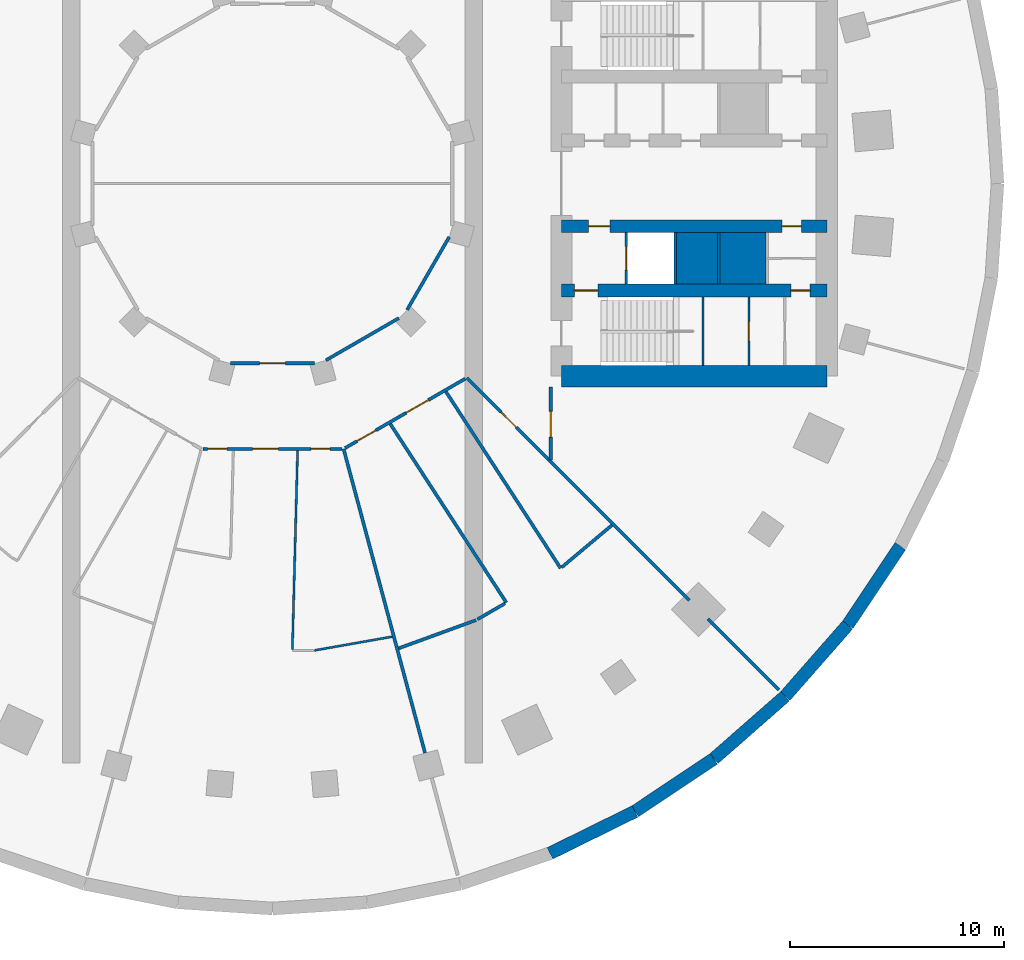
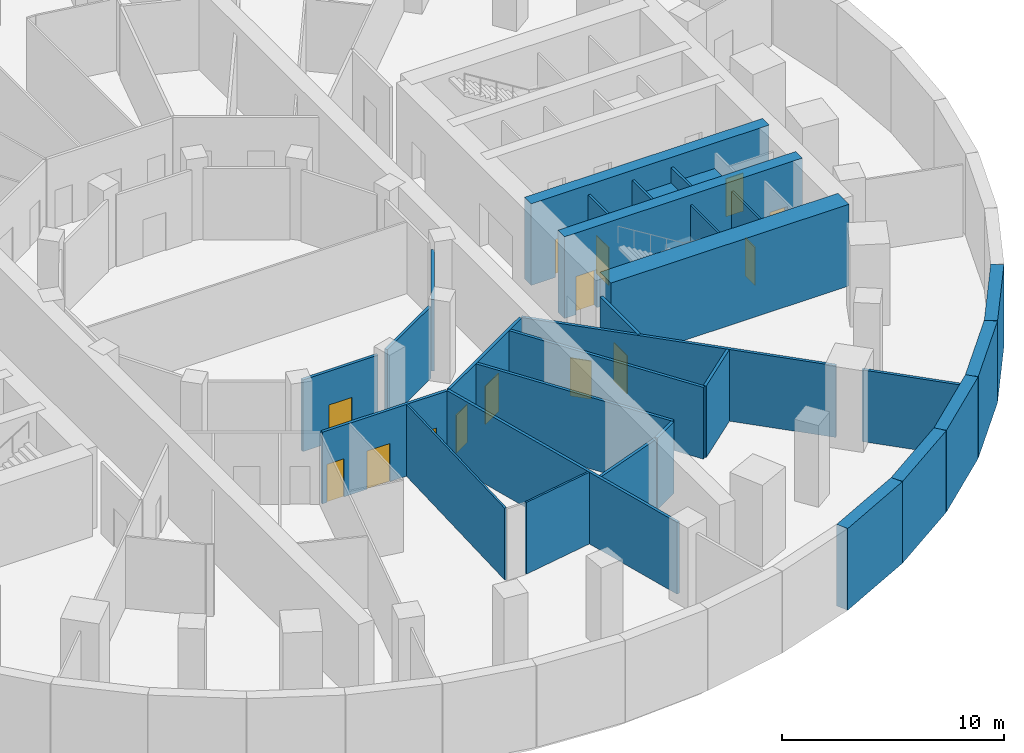
# One storey, part 3 of 8: 31 walls, 14 doors, 14 openings.
"""IFC4 building model written with IfcOpenShell, lengths in metres."""

from ifc_helpers import new_model, si_unit, direction, frame, frame_2d, origin, place, context, subcontext, project, spatial, rectangle, extrude, material, layer, layer_set, type_object, element, fill, save


model = new_model("IFC4")

# Units and contexts
model_context = context("Model", 3, precision=1e-05, world=origin(), true_north=direction((0.0, 1.0)))
body_context = subcontext(model_context, "Body", "Model", "MODEL_VIEW")
ifc_project = project(units=[si_unit("LENGTHUNIT", "METRE"), si_unit("AREAUNIT", "SQUARE_METRE"), si_unit("VOLUMEUNIT", "CUBIC_METRE"), si_unit("PLANEANGLEUNIT", "RADIAN"), si_unit("MASSUNIT", "GRAM", prefix="KILO")], contexts=[model_context])

# Site, building, storey
site_placement = place(None, origin())
site = spatial("IfcSite", under=ifc_project, at=site_placement, CompositionType="ELEMENT")
building_placement = place(site_placement, origin())
building = spatial("IfcBuilding", under=site, at=building_placement, Name="Saqina Gate Tower", CompositionType="ELEMENT")
storey_placement = place(building_placement, frame((0.0, 0.0, -4.5)))
storey = spatial("IfcBuildingStorey", under=building, at=storey_placement, Name="B1", CompositionType="ELEMENT", Elevation=-4.5)

# Wall, opening, door
ifc_material_1 = material(Name="Gypsum board on steel studs", Category="steel")
ifc_layer_1 = layer(ifc_material_1, 0.10009765625)
ifc_layer_set_1 = layer_set([ifc_layer_1], Name="CORE PARTITION")
wall_type_1 = type_object("IfcWallType", Name="CORE PARTITION", PredefinedType="PARTITIONING", material=ifc_layer_set_1)
wall_1_placement = place(storey_placement, frame((22.256103515625, -8.5, 0.0), z_axis=(0.0, 0.0, 1.0), x_axis=(0.0, 1.0, 0.0)))
wall_1 = element("IfcWall", 1, at=wall_1_placement, inside=storey, type_object=wall_type_1, Name="B1-CP-E13", PredefinedType="PARTITIONING", context=body_context, shape_type="SweptSolid", body=[
    extrude(rectangle(XDim=3.199951171875, YDim=0.10009765625, at=frame_2d((1.60009765625, 0.0))), origin(), (0.0, 0.0, 1.0), 3.949951171875),
])
opening_1_placement = place(wall_1_placement, frame((1.14990234375, 0.0, 0.0)))
opening_1 = element("IfcOpeningElement", 2, at=opening_1_placement, cuts=wall_1, Name="Opening B1-D100", PredefinedType="OPENING", context=body_context, shape_type="SweptSolid", body=[
    extrude(rectangle(XDim=0.89990234375, YDim=2.10009765625, at=frame_2d((0.449951171875, 1.050048828125))), frame((0.0, 0.06201171875, 0.0), z_axis=(0.0, -1.0, 0.0), x_axis=(1.0, 0.0, 0.0)), (0.0, 0.0, 1.0), 0.1240234375),
])
ifc_material_2 = material(Name="Steel-framed fire door leaf, EI 60", Category="steel")
door_type_1 = type_object("IfcDoorType", Name="SERVICE ROOM DOOR 900", OperationType="SINGLE_SWING_LEFT", PredefinedType="DOOR", material=ifc_material_2)
door_1_placement = place(opening_1_placement, origin())
door_1 = element("IfcDoor", 3, at=door_1_placement, inside=storey, type_object=door_type_1, Name="B1-CD-E11", OperationType="SINGLE_SWING_LEFT", OverallHeight=2.10009765625, OverallWidth=0.89990234375, PredefinedType="DOOR", context=body_context, shape_type="SweptSolid", body=[
    extrude(rectangle(XDim=0.89990234375, YDim=2.10009765625, at=frame_2d((0.449951171875, 1.050048828125))), frame((0.0, 0.02490234375, 0.0), z_axis=(0.0, -1.0, 0.0), x_axis=(1.0, 0.0, 0.0)), (0.0, 0.0, 1.0), 0.050048828125),
])
fill(opening_1, door_1)

# Walls
ifc_material_3 = material(Name="Concrete C40/50", Category="concrete")
ifc_layer_2 = layer(ifc_material_3, 2.39990234375)
ifc_layer_set_2 = layer_set([ifc_layer_2], Name="Concrete C40/50")
wall_type_2 = type_object("IfcWallType", Name="LIFT PIT PEDESTAL", PredefinedType="SOLIDWALL", material=ifc_layer_set_2)
wall_2_placement = place(storey_placement, frame((18.8701171875, -3.5, 0.0), z_axis=(0.0, 0.0, 1.0), x_axis=(1.0, 0.0, 0.0)))
element("IfcWall", 4, at=wall_2_placement, inside=storey, type_object=wall_type_2, Name="LIFT PIT BASE LR3", PredefinedType="SOLIDWALL", context=body_context, shape_type="SweptSolid", body=[
    extrude(rectangle(XDim=1.909912109375, YDim=2.39990234375, at=frame_2d((0.955078125, 0.0))), origin(), (0.0, 0.0, 1.0), 3.10009765625),
])
wall_3_placement = place(storey_placement, frame((20.89990234375, -3.5, 0.0), z_axis=(0.0, 0.0, 1.0), x_axis=(1.0, 0.0, 0.0)))
element("IfcWall", 5, at=wall_3_placement, inside=storey, type_object=wall_type_2, Name="LIFT PIT BASE LR2", PredefinedType="SOLIDWALL", context=body_context, shape_type="SweptSolid", body=[
    extrude(rectangle(XDim=2.16015625, YDim=2.39990234375, at=frame_2d((1.080078125, 0.0))), origin(), (0.0, 0.0, 1.0), 3.10009765625),
])

# Wall, opening, door
ifc_material_4 = material(Name="Autoclaved aerated concrete block", Category="concrete")
ifc_layer_3 = layer(ifc_material_4, 0.1201171875)
ifc_layer_set_3 = layer_set([ifc_layer_3], Name="SHAFT PARTITION")
wall_type_3 = type_object("IfcWallType", Name="SHAFT PARTITION", PredefinedType="PARTITIONING", material=ifc_layer_set_3)
wall_4_placement = place(storey_placement, frame((16.530029296875, -4.699951171875, 0.0), z_axis=(0.0, 0.0, 1.0), x_axis=(0.0, 1.0, 0.0)))
wall_4 = element("IfcWall", 6, at=wall_4_placement, inside=storey, type_object=wall_type_3, Name="B1-CP-E05", PredefinedType="PARTITIONING", context=body_context, shape_type="SweptSolid", body=[
    extrude(rectangle(XDim=2.39990234375, YDim=0.1201171875, at=frame_2d((1.199951171875, 0.0))), origin(), (0.0, 0.0, 1.0), 3.949951171875),
])
opening_2_placement = place(wall_4_placement, frame((0.64990234375, 0.0, 0.0)))
opening_2 = element("IfcOpeningElement", 7, at=opening_2_placement, cuts=wall_4, Name="Opening B1-LD1", PredefinedType="OPENING", context=body_context, shape_type="SweptSolid", body=[
    extrude(rectangle(XDim=1.10009765625, YDim=2.10009765625, at=frame_2d((0.550048828125, 1.050048828125))), frame((0.0, 0.072021484375, 0.0), z_axis=(0.0, -1.0, 0.0), x_axis=(1.0, 0.0, 0.0)), (0.0, 0.0, 1.0), 0.14404296875),
])
ifc_material_5 = material(Name="Stainless steel", Category="steel")
door_type_2 = type_object("IfcDoorType", Name="LANDING DOOR", OperationType="DOUBLE_DOOR_SLIDING", PredefinedType="DOOR", material=ifc_material_5)
door_2_placement = place(opening_2_placement, origin())
door_2 = element("IfcDoor", 8, at=door_2_placement, inside=storey, type_object=door_type_2, Name="LANDING DOOR FF1", OperationType="DOUBLE_DOOR_SLIDING", OverallHeight=2.10009765625, OverallWidth=1.10009765625, PredefinedType="DOOR", context=body_context, shape_type="SweptSolid", body=[
    extrude(rectangle(XDim=1.10009765625, YDim=2.10009765625, at=frame_2d((0.550048828125, 1.050048828125))), frame((0.0, 0.02490234375, 0.0), z_axis=(0.0, -1.0, 0.0), x_axis=(1.0, 0.0, 0.0)), (0.0, 0.0, 1.0), 0.050048828125),
])
fill(opening_2, door_2)

# Walls
for number, where, z_axis, x_axis, name in (
    (9, (18.81005859375, -4.699951171875, 0.0), (0.0, 0.0, 1.0), (0.0, 1.0, 0.0), "B1-CP-E06"),
    (10, (20.840087890625, -4.699951171875, 0.0), (0.0, 0.0, 1.0), (0.0, 1.0, 0.0), "B1-CP-E07"),
):
    element("IfcWall", number, at=place(storey_placement, frame(where, z_axis=z_axis, x_axis=x_axis)), inside=storey, type_object=wall_type_3, Name=name, PredefinedType="PARTITIONING", context=body_context, shape_type="SweptSolid", body=[
        extrude(rectangle(XDim=2.39990234375, YDim=0.1201171875, at=frame_2d((1.199951171875, 0.0))), origin(), (0.0, 0.0, 1.0), 3.949951171875),
    ])
ifc_material_6 = material(Name="Gypsum board on steel studs, 100 mm", Category="steel")
ifc_layer_4 = layer(ifc_material_6, 0.10009765625)
ifc_layer_set_4 = layer_set([ifc_layer_4], Name="SPECIAL PARTITION 100")
wall_type_4 = type_object("IfcWallType", Name="SPECIAL PARTITION 100", PredefinedType="PARTITIONING", material=ifc_layer_set_4)
wall_5_placement = place(storey_placement, frame((1.958251953125, -21.811279296875, 0.0), z_axis=(0.0, 0.0, 1.0), x_axis=(0.984802853869, 0.173675959796, 0.0)))
element("IfcWall", 11, at=wall_5_placement, inside=storey, type_object=wall_type_4, Name="PARTITION 039", PredefinedType="PARTITIONING", context=body_context, shape_type="SweptSolid", body=[
    extrude(rectangle(XDim=3.69287109375, YDim=0.10009765625, at=frame_2d((1.846435546875, 0.0))), origin(), (0.0, 0.0, 1.0), 3.949951171875),
])
wall_6_placement = place(storey_placement, frame((0.930419921875, -21.77001953125, 0.0), z_axis=(0.0, 0.0, 1.0), x_axis=(0.026204488606, 0.999656603428, 0.0)))
element("IfcWall", 12, at=wall_6_placement, inside=storey, type_object=wall_type_4, Name="PARTITION 070", PredefinedType="PARTITIONING", context=body_context, shape_type="SweptSolid", body=[
    extrude(rectangle(XDim=9.298095703125, YDim=0.10009765625, at=frame_2d((4.64892578125, 0.0))), origin(), (0.0, 0.0, 1.0), 3.949951171875),
])

# Wall, openings, doors
ifc_material_7 = material(Name="Gypsum board on steel studs, 150 mm, fire rated", Category="steel")
ifc_layer_5 = layer(ifc_material_7, 0.14990234375)
ifc_layer_set_5 = layer_set([ifc_layer_5], Name="SPECIAL PARTITION EI 30 150")
wall_type_5 = type_object("IfcWallType", Name="SPECIAL PARTITION EI 30 150", PredefinedType="PARTITIONING", material=ifc_layer_set_5)
wall_7_placement = place(storey_placement, frame((-3.248046875, -12.39990234375, 0.0), z_axis=(0.0, 0.0, 1.0), x_axis=(1.0, 0.0, 0.0)))
wall_7 = element("IfcWall", 13, at=wall_7_placement, inside=storey, type_object=wall_type_5, Name="PARTITION 032", PredefinedType="PARTITIONING", context=body_context, shape_type="SweptSolid", body=[
    extrude(rectangle(XDim=6.49609375, YDim=0.14990234375, at=frame_2d((3.248046875, 0.0))), origin(), (0.0, 0.0, 1.0), 3.949951171875),
])
opening_3_placement = place(wall_7_placement, frame((0.22412109375, 0.0, 0.0)))
opening_3 = element("IfcOpeningElement", 14, at=opening_3_placement, cuts=wall_7, Name="Opening B1-D19", PredefinedType="OPENING", context=body_context, shape_type="SweptSolid", body=[
    extrude(rectangle(XDim=0.89990234375, YDim=2.10009765625, at=frame_2d((0.449951171875, 1.050048828125))), frame((0.0, 0.0869140625, 0.0), z_axis=(0.0, -1.0, 0.0), x_axis=(1.0, 0.0, 0.0)), (0.0, 0.0, 1.0), 0.173828125),
])
opening_4_placement = place(wall_7_placement, frame((2.323486328125, 0.0, 0.0)))
opening_4 = element("IfcOpeningElement", 15, at=opening_4_placement, cuts=wall_7, Name="Opening B1-D20", PredefinedType="OPENING", context=body_context, shape_type="SweptSolid", body=[
    extrude(rectangle(XDim=1.199951171875, YDim=2.10009765625, at=frame_2d((0.60009765625, 1.050048828125))), frame((0.0, 0.0869140625, 0.0), z_axis=(0.0, -1.0, 0.0), x_axis=(1.0, 0.0, 0.0)), (0.0, 0.0, 1.0), 0.173828125),
])
opening_5_placement = place(wall_7_placement, frame((5.047607421875, 0.0, 0.0)))
opening_5 = element("IfcOpeningElement", 16, at=opening_5_placement, cuts=wall_7, Name="Opening B1-D22", PredefinedType="OPENING", context=body_context, shape_type="SweptSolid", body=[
    extrude(rectangle(XDim=0.89990234375, YDim=2.10009765625, at=frame_2d((0.449951171875, 1.050048828125))), frame((0.0, 0.0869140625, 0.0), z_axis=(0.0, -1.0, 0.0), x_axis=(1.0, 0.0, 0.0)), (0.0, 0.0, 1.0), 0.173828125),
])
ifc_material_8 = material(Name="Steel-framed fire door leaf, EI 30", Category="steel")
door_type_3 = type_object("IfcDoorType", Name="SPECIAL DOOR 1200 FIRE EI 30", OperationType="SINGLE_SWING_LEFT", PredefinedType="DOOR", material=ifc_material_8)
door_3_placement = place(opening_4_placement, origin())
door_3 = element("IfcDoor", 17, at=door_3_placement, inside=storey, type_object=door_type_3, Name="DOOR B1-D20", OperationType="SINGLE_SWING_LEFT", OverallHeight=2.10009765625, OverallWidth=1.199951171875, PredefinedType="DOOR", context=body_context, shape_type="SweptSolid", body=[
    extrude(rectangle(XDim=1.199951171875, YDim=2.10009765625, at=frame_2d((0.60009765625, 1.050048828125))), frame((0.0, 0.02490234375, 0.0), z_axis=(0.0, -1.0, 0.0), x_axis=(1.0, 0.0, 0.0)), (0.0, 0.0, 1.0), 0.050048828125),
])
fill(opening_4, door_3)
ifc_material_9 = material(Name="Steel-framed fire door leaf, EI 30", Category="steel")
door_type_4 = type_object("IfcDoorType", Name="SPECIAL DOOR 900 FIRE EI 30", OperationType="SINGLE_SWING_LEFT", PredefinedType="DOOR", material=ifc_material_9)
door_4_placement = place(opening_3_placement, frame((0.89990234375, 0.0, 0.0), z_axis=(0.0, 0.0, 1.0), x_axis=(-1.0, 0.0, 0.0)))
door_4 = element("IfcDoor", 18, at=door_4_placement, inside=storey, type_object=door_type_4, Name="DOOR B1-D19", OperationType="SINGLE_SWING_RIGHT", OverallHeight=2.10009765625, OverallWidth=0.89990234375, PredefinedType="DOOR", context=body_context, shape_type="SweptSolid", body=[
    extrude(rectangle(XDim=0.89990234375, YDim=2.10009765625, at=frame_2d((0.449951171875, 1.050048828125))), frame((0.0, 0.02490234375, 0.0), z_axis=(0.0, -1.0, 0.0), x_axis=(1.0, 0.0, 0.0)), (0.0, 0.0, 1.0), 0.050048828125),
])
fill(opening_3, door_4)
door_5_placement = place(opening_5_placement, frame((0.89990234375, 0.0, 0.0), z_axis=(0.0, 0.0, 1.0), x_axis=(-1.0, 0.0, 0.0)))
door_5 = element("IfcDoor", 19, at=door_5_placement, inside=storey, type_object=door_type_4, Name="DOOR B1-D22", OperationType="SINGLE_SWING_RIGHT", OverallHeight=2.10009765625, OverallWidth=0.89990234375, PredefinedType="DOOR", context=body_context, shape_type="SweptSolid", body=[
    extrude(rectangle(XDim=0.89990234375, YDim=2.10009765625, at=frame_2d((0.449951171875, 1.050048828125))), frame((0.0, 0.02490234375, 0.0), z_axis=(0.0, -1.0, 0.0), x_axis=(1.0, 0.0, 0.0)), (0.0, 0.0, 1.0), 0.050048828125),
])
fill(opening_5, door_5)

# Wall, opening, door
wall_8_placement = place(storey_placement, frame((-1.96435546875, -8.39990234375, 0.0), z_axis=(0.0, 0.0, 1.0), x_axis=(1.0, 0.0, 0.0)))
wall_8 = element("IfcWall", 20, at=wall_8_placement, inside=storey, type_object=wall_type_5, Name="PARTITION 033", PredefinedType="PARTITIONING", context=body_context, shape_type="SweptSolid", body=[
    extrude(rectangle(XDim=3.9287109375, YDim=0.14990234375, at=frame_2d((1.96435546875, 0.0))), origin(), (0.0, 0.0, 1.0), 3.949951171875),
])
opening_6_placement = place(wall_8_placement, frame((1.364501953125, 0.0, 0.0)))
opening_6 = element("IfcOpeningElement", 21, at=opening_6_placement, cuts=wall_8, Name="Opening B1-D21", PredefinedType="OPENING", context=body_context, shape_type="SweptSolid", body=[
    extrude(rectangle(XDim=1.199951171875, YDim=2.10009765625, at=frame_2d((0.60009765625, 1.050048828125))), frame((0.0, 0.0869140625, 0.0), z_axis=(0.0, -1.0, 0.0), x_axis=(1.0, 0.0, 0.0)), (0.0, 0.0, 1.0), 0.173828125),
])
door_6_placement = place(opening_6_placement, frame((1.199951171875, 0.0, 0.0), z_axis=(0.0, 0.0, 1.0), x_axis=(-1.0, 0.0, 0.0)))
door_6 = element("IfcDoor", 22, at=door_6_placement, inside=storey, type_object=door_type_3, Name="DOOR B1-D21", OperationType="SINGLE_SWING_LEFT", OverallHeight=2.10009765625, OverallWidth=1.199951171875, PredefinedType="DOOR", context=body_context, shape_type="SweptSolid", body=[
    extrude(rectangle(XDim=1.199951171875, YDim=2.10009765625, at=frame_2d((0.60009765625, 1.050048828125))), frame((0.0, 0.02490234375, 0.0), z_axis=(0.0, -1.0, 0.0), x_axis=(1.0, 0.0, 0.0)), (0.0, 0.0, 1.0), 0.050048828125),
])
fill(opening_6, door_6)

# Walls
for number, where, z_axis, x_axis, name in (
    (23, (2.4990234375, -8.256591796875, 0.0), (0.0, 0.0, 1.0), (0.865990036525, 0.500061252887, 0.0), "PARTITION 047"),
    (24, (6.29150390625, -5.902099609375, 0.0), (0.0, 0.0, 1.0), (0.500061252887, 0.865990036525, 0.0), "PARTITION 061"),
):
    element("IfcWall", number, at=place(storey_placement, frame(where, z_axis=z_axis, x_axis=x_axis)), inside=storey, type_object=wall_type_5, Name=name, PredefinedType="PARTITIONING", context=body_context, shape_type="SweptSolid", body=[
        extrude(rectangle(XDim=3.9296875, YDim=0.14990234375, at=frame_2d((1.96484375, 0.0))), origin(), (0.0, 0.0, 1.0), 3.949951171875),
    ])

# Wall, opening, door
wall_9_placement = place(storey_placement, frame((13.0, -12.925048828125, 0.0), z_axis=(0.0, 0.0, 1.0), x_axis=(0.0, 1.0, 0.0)))
wall_9 = element("IfcWall", 25, at=wall_9_placement, inside=storey, type_object=wall_type_5, Name="PARTITION 072", PredefinedType="PARTITIONING", context=body_context, shape_type="SweptSolid", body=[
    extrude(rectangle(XDim=3.425048828125, YDim=0.14990234375, at=frame_2d((1.71240234375, 0.0))), origin(), (0.0, 0.0, 1.0), 3.949951171875),
])
opening_7_placement = place(wall_9_placement, frame((1.074951171875, 0.0, 0.0)))
opening_7 = element("IfcOpeningElement", 26, at=opening_7_placement, cuts=wall_9, Name="Opening B1-D26", PredefinedType="OPENING", context=body_context, shape_type="SweptSolid", body=[
    extrude(rectangle(XDim=1.199951171875, YDim=2.10009765625, at=frame_2d((0.60009765625, 1.050048828125))), frame((0.0, 0.0869140625, 0.0), z_axis=(0.0, -1.0, 0.0), x_axis=(1.0, 0.0, 0.0)), (0.0, 0.0, 1.0), 0.173828125),
])
door_7_placement = place(opening_7_placement, origin())
door_7 = element("IfcDoor", 27, at=door_7_placement, inside=storey, type_object=door_type_3, Name="DOOR B1-D26", OperationType="SINGLE_SWING_LEFT", OverallHeight=2.10009765625, OverallWidth=1.199951171875, PredefinedType="DOOR", context=body_context, shape_type="SweptSolid", body=[
    extrude(rectangle(XDim=1.199951171875, YDim=2.10009765625, at=frame_2d((0.60009765625, 1.050048828125))), frame((0.0, 0.02490234375, 0.0), z_axis=(0.0, -1.0, 0.0), x_axis=(1.0, 0.0, 0.0)), (0.0, 0.0, 1.0), 0.050048828125),
])
fill(opening_7, door_7)

# Walls
ifc_material_10 = material(Name="Masonry block and plaster, 150 mm, fire rated", Category="masonry")
ifc_layer_6 = layer(ifc_material_10, 0.14990234375)
ifc_layer_set_6 = layer_set([ifc_layer_6], Name="SPECIAL PARTITION EI 60 150")
wall_type_6 = type_object("IfcWallType", Name="SPECIAL PARTITION EI 60 150", PredefinedType="PARTITIONING", material=ifc_layer_set_6)
wall_10_placement = place(storey_placement, frame((3.322998046875, -12.39990234375, 0.0), z_axis=(0.0, 0.0, 1.0), x_axis=(0.258774542154, -0.965937749719, 0.0)))
element("IfcWall", 28, at=wall_10_placement, inside=storey, type_object=wall_type_6, Name="PARTITION 003", PredefinedType="PARTITIONING", context=body_context, shape_type="SweptSolid", body=[
    extrude(rectangle(XDim=14.70263671875, YDim=0.14990234375, at=frame_2d((7.351318359375, 0.0))), origin(), (0.0, 0.0, 1.0), 3.949951171875),
])
wall_11_placement = place(storey_placement, frame((5.502685546875, -11.227783203125, 0.0), z_axis=(0.0, 0.0, 1.0), x_axis=(0.544658291874, -0.838658062081, 0.0)))
element("IfcWall", 29, at=wall_11_placement, inside=storey, type_object=wall_type_6, Name="PARTITION 009", PredefinedType="PARTITIONING", context=body_context, shape_type="SweptSolid", body=[
    extrude(rectangle(XDim=9.959228515625, YDim=0.14990234375, at=frame_2d((4.9794921875, 0.0))), origin(), (0.0, 0.0, 1.0), 3.949951171875),
])
wall_12_placement = place(storey_placement, frame((8.10400390625, -9.725341796875, 0.0), z_axis=(0.0, 0.0, 1.0), x_axis=(0.544634017979, -0.838673826026, 0.0)))
element("IfcWall", 30, at=wall_12_placement, inside=storey, type_object=wall_type_6, Name="PARTITION 010", PredefinedType="PARTITIONING", context=body_context, shape_type="SweptSolid", body=[
    extrude(rectangle(XDim=9.833984375, YDim=0.14990234375, at=frame_2d((4.9169921875, 0.0))), origin(), (0.0, 0.0, 1.0), 3.949951171875),
])

# Wall, opening, door
wall_13_placement = place(storey_placement, frame((9.076904296875, -9.076904296875, 0.0), z_axis=(0.0, 0.0, 1.0), x_axis=(0.707106781187, -0.707106781187, 0.0)))
wall_13 = element("IfcWall", 31, at=wall_13_placement, inside=storey, type_object=wall_type_6, Name="PARTITION 014", PredefinedType="PARTITIONING", context=body_context, shape_type="SweptSolid", body=[
    extrude(rectangle(XDim=14.703125, YDim=0.14990234375, at=frame_2d((7.3515625, 0.0))), origin(), (0.0, 0.0, 1.0), 3.949951171875),
])
opening_8_placement = place(wall_13_placement, frame((2.275634765625, 0.0, 0.0)))
opening_8 = element("IfcOpeningElement", 32, at=opening_8_placement, cuts=wall_13, Name="Opening B1-D25", PredefinedType="OPENING", context=body_context, shape_type="SweptSolid", body=[
    extrude(rectangle(XDim=1.0, YDim=2.10009765625, at=frame_2d((0.5, 1.050048828125))), frame((0.0, 0.0869140625, 0.0), z_axis=(0.0, -1.0, 0.0), x_axis=(1.0, 0.0, 0.0)), (0.0, 0.0, 1.0), 0.173828125),
])
ifc_material_11 = material(Name="Steel-framed fire door leaf, EI 60", Category="steel")
door_type_5 = type_object("IfcDoorType", Name="SPECIAL DOOR 1000 FIRE EI 60", OperationType="SINGLE_SWING_LEFT", PredefinedType="DOOR", material=ifc_material_11)
door_8_placement = place(opening_8_placement, frame((1.0, 0.0, 0.0), z_axis=(0.0, 0.0, 1.0), x_axis=(-1.0, 0.0, 0.0)))
door_8 = element("IfcDoor", 33, at=door_8_placement, inside=storey, type_object=door_type_5, Name="DOOR B1-D25", OperationType="SINGLE_SWING_RIGHT", OverallHeight=2.10009765625, OverallWidth=1.0, PredefinedType="DOOR", context=body_context, shape_type="SweptSolid", body=[
    extrude(rectangle(XDim=1.0, YDim=2.10009765625, at=frame_2d((0.5, 1.050048828125))), frame((0.0, 0.02490234375, 0.0), z_axis=(0.0, -1.0, 0.0), x_axis=(1.0, 0.0, 0.0)), (0.0, 0.0, 1.0), 0.050048828125),
])
fill(opening_8, door_8)

# Walls
wall_14_placement = place(storey_placement, frame((20.33642578125, -20.33642578125, 0.0), z_axis=(0.0, 0.0, 1.0), x_axis=(0.707106781187, -0.707106781187, 0.0)))
element("IfcWall", 34, at=wall_14_placement, inside=storey, type_object=wall_type_6, Name="PARTITION 015", PredefinedType="PARTITIONING", context=body_context, shape_type="SweptSolid", body=[
    extrude(rectangle(XDim=4.687255859375, YDim=0.14990234375, at=frame_2d((2.34375, 0.0))), origin(), (0.0, 0.0, 1.0), 3.949951171875),
])
wall_15_placement = place(storey_placement, frame((5.8955078125, -21.71337890625, 0.0), z_axis=(0.0, 0.0, 1.0), x_axis=(0.939652546346, 0.342130226882, 0.0)))
element("IfcWall", 35, at=wall_15_placement, inside=storey, type_object=wall_type_6, Name="PARTITION 043", PredefinedType="PARTITIONING", context=body_context, shape_type="SweptSolid", body=[
    extrude(rectangle(XDim=3.84765625, YDim=0.14990234375, at=frame_2d((1.923828125, 0.0))), origin(), (0.0, 0.0, 1.0), 3.949951171875),
])
wall_16_placement = place(storey_placement, frame((9.575927734375, -20.359619140625, 0.0), z_axis=(0.0, 0.0, 1.0), x_axis=(0.866130837145, 0.499817339582, 0.0)))
element("IfcWall", 36, at=wall_16_placement, inside=storey, type_object=wall_type_6, Name="PARTITION 045", PredefinedType="PARTITIONING", context=body_context, shape_type="SweptSolid", body=[
    extrude(rectangle(XDim=1.48486328125, YDim=0.14990234375, at=frame_2d((0.742431640625, 0.0))), origin(), (0.0, 0.0, 1.0), 3.949951171875),
])

# Wall, openings, doors
wall_17_placement = place(storey_placement, frame((3.387939453125, -12.362548828125, 0.0), z_axis=(0.0, 0.0, 1.0), x_axis=(0.865967095912, 0.5001009786, 0.0)))
wall_17 = element("IfcWall", 37, at=wall_17_placement, inside=storey, type_object=wall_type_6, Name="PARTITION 046", PredefinedType="PARTITIONING", context=body_context, shape_type="SweptSolid", body=[
    extrude(rectangle(XDim=6.494873046875, YDim=0.14990234375, at=frame_2d((3.24755859375, 0.0))), origin(), (0.0, 0.0, 1.0), 3.949951171875),
])
opening_9_placement = place(wall_17_placement, frame((0.659912109375, 0.0, 0.0)))
opening_9 = element("IfcOpeningElement", 38, at=opening_9_placement, cuts=wall_17, Name="Opening B1-D23", PredefinedType="OPENING", context=body_context, shape_type="SweptSolid", body=[
    extrude(rectangle(XDim=1.0, YDim=2.10009765625, at=frame_2d((0.5, 1.050048828125))), frame((0.0, 0.0869140625, 0.0), z_axis=(0.0, -1.0, 0.0), x_axis=(1.0, 0.0, 0.0)), (0.0, 0.0, 1.0), 0.173828125),
])
opening_10_placement = place(wall_17_placement, frame((3.296875, 0.0, 0.0)))
opening_10 = element("IfcOpeningElement", 39, at=opening_10_placement, cuts=wall_17, Name="Opening B1-D24", PredefinedType="OPENING", context=body_context, shape_type="SweptSolid", body=[
    extrude(rectangle(XDim=1.199951171875, YDim=2.10009765625, at=frame_2d((0.60009765625, 1.050048828125))), frame((0.0, 0.0869140625, 0.0), z_axis=(0.0, -1.0, 0.0), x_axis=(1.0, 0.0, 0.0)), (0.0, 0.0, 1.0), 0.173828125),
])
door_9_placement = place(opening_9_placement, frame((1.0, 0.0, 0.0), z_axis=(0.0, 0.0, 1.0), x_axis=(-1.0, 0.0, 0.0)))
door_9 = element("IfcDoor", 40, at=door_9_placement, inside=storey, type_object=door_type_5, Name="DOOR B1-D23", OperationType="SINGLE_SWING_RIGHT", OverallHeight=2.10009765625, OverallWidth=1.0, PredefinedType="DOOR", context=body_context, shape_type="SweptSolid", body=[
    extrude(rectangle(XDim=1.0, YDim=2.10009765625, at=frame_2d((0.5, 1.050048828125))), frame((0.0, 0.02490234375, 0.0), z_axis=(0.0, -1.0, 0.0), x_axis=(1.0, 0.0, 0.0)), (0.0, 0.0, 1.0), 0.050048828125),
])
fill(opening_9, door_9)
ifc_material_12 = material(Name="Steel-framed fire door leaf, EI 60", Category="steel")
door_type_6 = type_object("IfcDoorType", Name="SPECIAL DOOR 1200 FIRE EI 60", OperationType="SINGLE_SWING_LEFT", PredefinedType="DOOR", material=ifc_material_12)
door_10_placement = place(opening_10_placement, origin())
door_10 = element("IfcDoor", 41, at=door_10_placement, inside=storey, type_object=door_type_6, Name="DOOR B1-D24", OperationType="SINGLE_SWING_RIGHT", OverallHeight=2.10009765625, OverallWidth=1.199951171875, PredefinedType="DOOR", context=body_context, shape_type="SweptSolid", body=[
    extrude(rectangle(XDim=1.199951171875, YDim=2.10009765625, at=frame_2d((0.60009765625, 1.050048828125))), frame((0.0, 0.02490234375, 0.0), z_axis=(0.0, -1.0, 0.0), x_axis=(1.0, 0.0, 0.0)), (0.0, 0.0, 1.0), 0.050048828125),
])
fill(opening_10, door_10)

# Walls
wall_18_placement = place(storey_placement, frame((13.517578125, -17.9248046875, 0.0), z_axis=(0.0, 0.0, 1.0), x_axis=(0.766027688261, 0.64280757682, 0.0)))
element("IfcWall", 42, at=wall_18_placement, inside=storey, type_object=wall_type_6, Name="PARTITION 051", PredefinedType="PARTITIONING", context=body_context, shape_type="SweptSolid", body=[
    extrude(rectangle(XDim=3.05322265625, YDim=0.14990234375, at=frame_2d((1.526611328125, 0.0))), origin(), (0.0, 0.0, 1.0), 3.949951171875),
])
ifc_material_13 = material(Name="Autoclaved aerated concrete block", Category="concrete")
ifc_layer_7 = layer(ifc_material_13, 0.10009765625)
ifc_layer_set_7 = layer_set([ifc_layer_7], Name="STAIR ENCLOSURE WALL")
wall_type_7 = type_object("IfcWallType", Name="STAIR ENCLOSURE WALL", PredefinedType="PARTITIONING", material=ifc_layer_set_7)
wall_19_placement = place(storey_placement, frame((20.110107421875, -8.5, 0.0), z_axis=(0.0, 0.0, 1.0), x_axis=(0.0, 1.0, 0.0)))
element("IfcWall", 43, at=wall_19_placement, inside=storey, type_object=wall_type_7, Name="B1-CP-E12", PredefinedType="PARTITIONING", context=body_context, shape_type="SweptSolid", body=[
    extrude(rectangle(XDim=3.199951171875, YDim=0.10009765625, at=frame_2d((1.60009765625, 0.0))), origin(), (0.0, 0.0, 1.0), 3.949951171875),
])

# Wall, openings, doors
ifc_material_14 = material(Name="Concrete C70/85", Category="concrete")
ifc_layer_8 = layer(ifc_material_14, 0.60009765625)
ifc_layer_set_8 = layer_set([ifc_layer_8], Name="Concrete C70/85")
wall_type_8 = type_object("IfcWallType", Name="STR-CORE WALL-P-I", PredefinedType="SHEAR", material=ifc_layer_set_8)
wall_20_placement = place(storey_placement, frame((13.5, -5.0, 0.0), z_axis=(0.0, 0.0, 1.0), x_axis=(1.0, 0.0, 0.0)))
wall_20 = element("IfcWall", 44, at=wall_20_placement, inside=storey, type_object=wall_type_8, Name="CORE WALL B1 E-X2", PredefinedType="SHEAR", context=body_context, shape_type="SweptSolid", body=[
    extrude(rectangle(XDim=12.39990234375, YDim=0.60009765625, at=frame_2d((6.199951171875, 0.0))), origin(), (0.0, 0.0, 1.0), 4.5),
])
opening_11_placement = place(wall_20_placement, frame((10.71630859375, 0.0, 0.0)))
opening_11 = element("IfcOpeningElement", 45, at=opening_11_placement, cuts=wall_20, Name="Opening B1-D101", PredefinedType="OPENING", context=body_context, shape_type="SweptSolid", body=[
    extrude(rectangle(XDim=0.89990234375, YDim=2.10009765625, at=frame_2d((0.449951171875, 1.050048828125))), frame((0.0, 0.31201171875, 0.0), z_axis=(0.0, -1.0, 0.0), x_axis=(1.0, 0.0, 0.0)), (0.0, 0.0, 1.0), 0.6240234375),
])
opening_12_placement = place(wall_20_placement, frame((0.60009765625, 0.0, 0.0)))
opening_12 = element("IfcOpeningElement", 46, at=opening_12_placement, cuts=wall_20, Name="Opening B1-D102", PredefinedType="OPENING", context=body_context, shape_type="SweptSolid", body=[
    extrude(rectangle(XDim=1.10009765625, YDim=2.10009765625, at=frame_2d((0.550048828125, 1.050048828125))), frame((0.0, 0.31201171875, 0.0), z_axis=(0.0, -1.0, 0.0), x_axis=(1.0, 0.0, 0.0)), (0.0, 0.0, 1.0), 0.6240234375),
])
ifc_material_15 = material(Name="Steel", Category="steel")
door_type_7 = type_object("IfcDoorType", Name="FIRE LOBBY DOOR EI 60 WIDE", OperationType="SINGLE_SWING_LEFT", PredefinedType="DOOR", material=ifc_material_15)
door_11_placement = place(opening_12_placement, frame((1.10009765625, 0.0, 0.0), z_axis=(0.0, 0.0, 1.0), x_axis=(-1.0, 0.0, 0.0)))
door_11 = element("IfcDoor", 47, at=door_11_placement, inside=storey, type_object=door_type_7, Name="B1-CD-E13", OperationType="SINGLE_SWING_RIGHT", OverallHeight=2.10009765625, OverallWidth=1.10009765625, PredefinedType="DOOR", context=body_context, shape_type="SweptSolid", body=[
    extrude(rectangle(XDim=1.10009765625, YDim=2.10009765625, at=frame_2d((0.550048828125, 1.050048828125))), frame((0.0, 0.02490234375, 0.0), z_axis=(0.0, -1.0, 0.0), x_axis=(1.0, 0.0, 0.0)), (0.0, 0.0, 1.0), 0.050048828125),
])
fill(opening_12, door_11)
door_12_placement = place(opening_11_placement, frame((0.89990234375, 0.0, 0.0), z_axis=(0.0, 0.0, 1.0), x_axis=(-1.0, 0.0, 0.0)))
door_12 = element("IfcDoor", 48, at=door_12_placement, inside=storey, type_object=door_type_1, Name="B1-CD-E12", OperationType="SINGLE_SWING_LEFT", OverallHeight=2.10009765625, OverallWidth=0.89990234375, PredefinedType="DOOR", context=body_context, shape_type="SweptSolid", body=[
    extrude(rectangle(XDim=0.89990234375, YDim=2.10009765625, at=frame_2d((0.449951171875, 1.050048828125))), frame((0.0, 0.02490234375, 0.0), z_axis=(0.0, -1.0, 0.0), x_axis=(1.0, 0.0, 0.0)), (0.0, 0.0, 1.0), 0.050048828125),
])
fill(opening_11, door_12)

wall_21_placement = place(storey_placement, frame((13.5, -2.0, 0.0), z_axis=(0.0, 0.0, 1.0), x_axis=(1.0, 0.0, 0.0)))
wall_21 = element("IfcWall", 49, at=wall_21_placement, inside=storey, type_object=wall_type_8, Name="CORE WALL B1 E-L2", PredefinedType="SHEAR", context=body_context, shape_type="SweptSolid", body=[
    extrude(rectangle(XDim=12.39990234375, YDim=0.60009765625, at=frame_2d((6.199951171875, 0.0))), origin(), (0.0, 0.0, 1.0), 4.5),
])
opening_13_placement = place(wall_21_placement, frame((1.264892578125, 0.0, 0.0)))
opening_13 = element("IfcOpeningElement", 50, at=opening_13_placement, cuts=wall_21, Name="Opening B1-D94", PredefinedType="OPENING", context=body_context, shape_type="SweptSolid", body=[
    extrude(rectangle(XDim=1.0, YDim=2.10009765625, at=frame_2d((0.5, 1.050048828125))), frame((0.0, 0.31201171875, 0.0), z_axis=(0.0, -1.0, 0.0), x_axis=(1.0, 0.0, 0.0)), (0.0, 0.0, 1.0), 0.6240234375),
])
opening_14_placement = place(wall_21_placement, frame((10.31005859375, 0.0, 0.0)))
opening_14 = element("IfcOpeningElement", 51, at=opening_14_placement, cuts=wall_21, Name="Opening B1-D95", PredefinedType="OPENING", context=body_context, shape_type="SweptSolid", body=[
    extrude(rectangle(XDim=0.89990234375, YDim=2.10009765625, at=frame_2d((0.449951171875, 1.050048828125))), frame((0.0, 0.31201171875, 0.0), z_axis=(0.0, -1.0, 0.0), x_axis=(1.0, 0.0, 0.0)), (0.0, 0.0, 1.0), 0.6240234375),
])
ifc_material_16 = material(Name="Steel", Category="steel")
door_type_8 = type_object("IfcDoorType", Name="FIRE LOBBY DOOR EI 60", OperationType="SINGLE_SWING_LEFT", PredefinedType="DOOR", material=ifc_material_16)
door_13_placement = place(opening_13_placement, origin())
door_13 = element("IfcDoor", 52, at=door_13_placement, inside=storey, type_object=door_type_8, Name="B1-CD-E05", OperationType="SINGLE_SWING_LEFT", OverallHeight=2.10009765625, OverallWidth=1.0, PredefinedType="DOOR", context=body_context, shape_type="SweptSolid", body=[
    extrude(rectangle(XDim=1.0, YDim=2.10009765625, at=frame_2d((0.5, 1.050048828125))), frame((0.0, 0.02490234375, 0.0), z_axis=(0.0, -1.0, 0.0), x_axis=(1.0, 0.0, 0.0)), (0.0, 0.0, 1.0), 0.050048828125),
])
fill(opening_13, door_13)
door_14_placement = place(opening_14_placement, frame((0.89990234375, 0.0, 0.0), z_axis=(0.0, 0.0, 1.0), x_axis=(-1.0, 0.0, 0.0)))
door_14 = element("IfcDoor", 53, at=door_14_placement, inside=storey, type_object=door_type_1, Name="B1-CD-E06", OperationType="SINGLE_SWING_LEFT", OverallHeight=2.10009765625, OverallWidth=0.89990234375, PredefinedType="DOOR", context=body_context, shape_type="SweptSolid", body=[
    extrude(rectangle(XDim=0.89990234375, YDim=2.10009765625, at=frame_2d((0.449951171875, 1.050048828125))), frame((0.0, 0.02490234375, 0.0), z_axis=(0.0, -1.0, 0.0), x_axis=(1.0, 0.0, 0.0)), (0.0, 0.0, 1.0), 0.050048828125),
])
fill(opening_14, door_14)

# Walls
ifc_material_17 = material(Name="Concrete C70/85", Category="concrete")
ifc_layer_9 = layer(ifc_material_17, 1.0)
ifc_layer_set_9 = layer_set([ifc_layer_9], Name="Concrete C70/85")
wall_type_9 = type_object("IfcWallType", Name="STR-CORE WALL-P-O", PredefinedType="SHEAR", material=ifc_layer_set_9)
wall_22_placement = place(storey_placement, frame((13.5, -9.0, 0.0), z_axis=(0.0, 0.0, 1.0), x_axis=(1.0, 0.0, 0.0)))
element("IfcWall", 54, at=wall_22_placement, inside=storey, type_object=wall_type_9, Name="CORE WALL B1 E-SE", PredefinedType="SHEAR", context=body_context, shape_type="SweptSolid", body=[
    extrude(rectangle(XDim=12.39990234375, YDim=1.0, at=frame_2d((6.199951171875, 0.0))), origin(), (0.0, 0.0, 1.0), 4.5),
])
ifc_material_18 = material(Name="Concrete C40/50", Category="concrete")
ifc_layer_10 = layer(ifc_material_18, 0.60009765625)
ifc_layer_set_10 = layer_set([ifc_layer_10], Name="Concrete C40/50")
wall_type_10 = type_object("IfcWallType", Name="STR-WALL-RETAINING", PredefinedType="SOLIDWALL", material=ifc_layer_set_10)
for number, where, z_axis, x_axis, name in (
    (55, (12.96240234375, -31.294189453125, 0.0), (0.0, 0.0, 1.0), (0.896871169992, 0.442291876975, 0.0), "BASEMENT RETAINING WALL 40"),
    (56, (16.936279296875, -29.33447265625, 0.0), (0.0, 0.0, 1.0), (0.831464919904, 0.555577255626, 0.0), "BASEMENT RETAINING WALL 41"),
):
    element("IfcWall", number, at=place(storey_placement, frame(where, z_axis=z_axis, x_axis=x_axis)), inside=storey, type_object=wall_type_10, Name=name, PredefinedType="SOLIDWALL", context=body_context, shape_type="SweptSolid", body=[
        extrude(rectangle(XDim=4.430908203125, YDim=0.60009765625, at=frame_2d((2.21533203125, 0.0))), origin(), (0.0, 0.0, 1.0), 4.5),
    ])
for number, where, z_axis, x_axis, name in (
    (57, (20.620361328125, -26.872802734375, 0.0), (0.0, 0.0, 1.0), (0.751825244185, 0.659362420985, 0.0), "BASEMENT RETAINING WALL 42"),
    (58, (23.951416015625, -23.951416015625, 0.0), (0.0, 0.0, 1.0), (0.659362420985, 0.751825244185, 0.0), "BASEMENT RETAINING WALL 43"),
):
    element("IfcWall", number, at=place(storey_placement, frame(where, z_axis=z_axis, x_axis=x_axis)), inside=storey, type_object=wall_type_10, Name=name, PredefinedType="SOLIDWALL", context=body_context, shape_type="SweptSolid", body=[
        extrude(rectangle(XDim=4.4306640625, YDim=0.60009765625, at=frame_2d((2.21533203125, 0.0))), origin(), (0.0, 0.0, 1.0), 4.5),
    ])
wall_23_placement = place(storey_placement, frame((26.872802734375, -20.620361328125, 0.0), z_axis=(0.0, 0.0, 1.0), x_axis=(0.555577255626, 0.831464919904, 0.0)))
element("IfcWall", 59, at=wall_23_placement, inside=storey, type_object=wall_type_10, Name="BASEMENT RETAINING WALL 44", PredefinedType="SOLIDWALL", context=body_context, shape_type="SweptSolid", body=[
    extrude(rectangle(XDim=4.430908203125, YDim=0.60009765625, at=frame_2d((2.21533203125, 0.0))), origin(), (0.0, 0.0, 1.0), 4.5),
])

save(model, "model.ifc")
